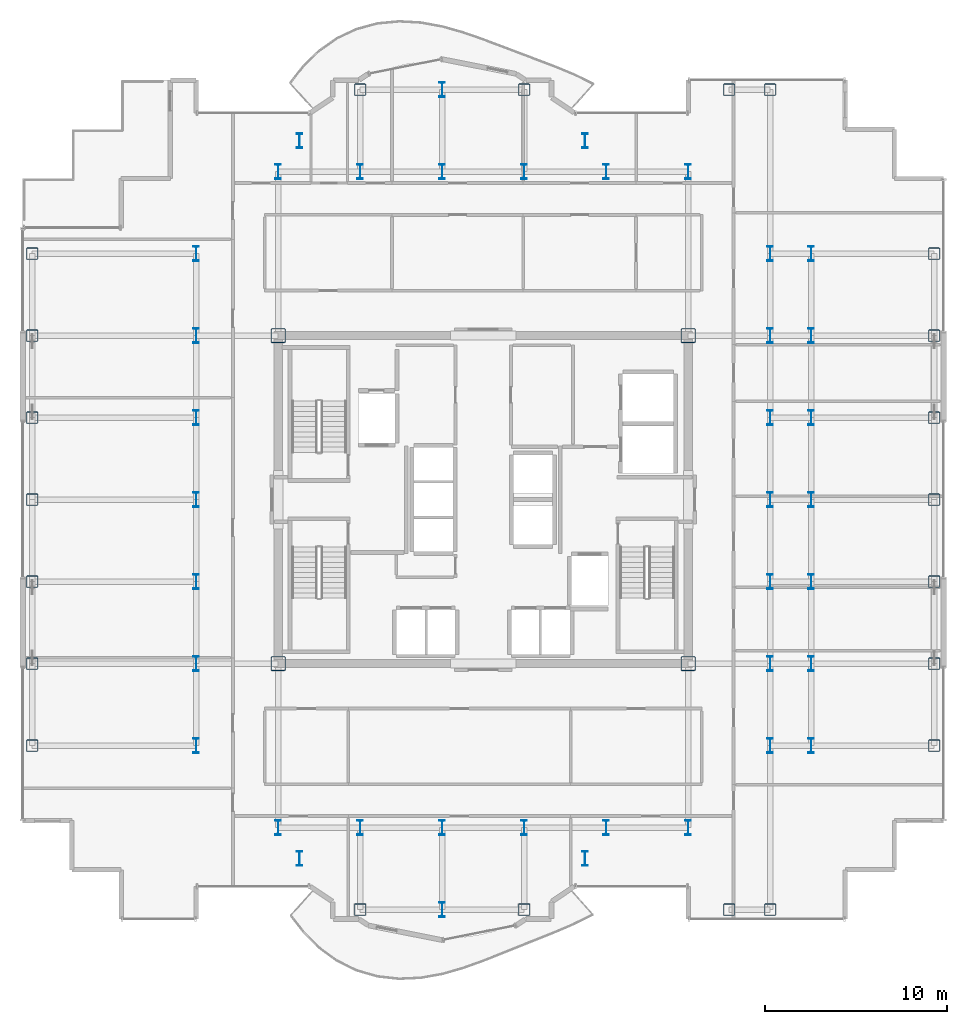
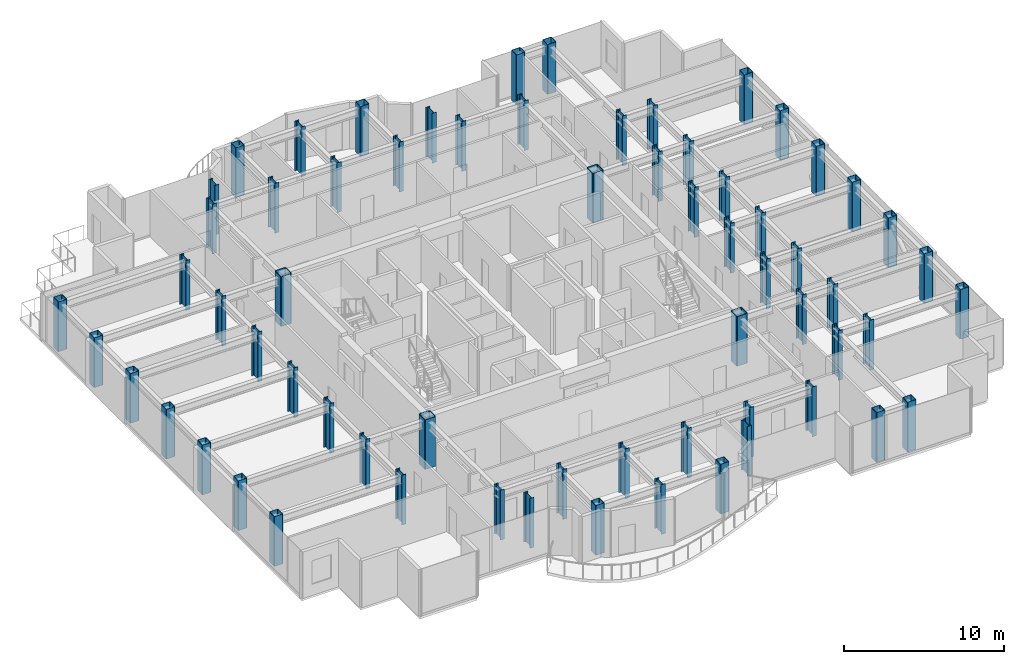
# One storey, part 1 of 22: 65 columns.
"""IFC4 building model written with IfcOpenShell, lengths in metres."""

from ifc_helpers import new_model, si_unit, direction, frame, origin, origin_2d, place, context, subcontext, project, spatial, hollow_rectangle, i_section, extrude, source, transform, mapped, material, material_profile, profile_set, type_object, element, save


model = new_model("IFC4")

# Units and contexts
model_context = context("Model", 3, precision=1e-05, world=origin(), true_north=direction((0.0, 1.0)))
body_context = subcontext(model_context, "Body", "Model", "MODEL_VIEW")
ifc_project = project(units=[si_unit("LENGTHUNIT", "METRE"), si_unit("AREAUNIT", "SQUARE_METRE"), si_unit("VOLUMEUNIT", "CUBIC_METRE"), si_unit("PLANEANGLEUNIT", "RADIAN"), si_unit("MASSUNIT", "GRAM", prefix="KILO")], contexts=[model_context])

# Site, building, storey
site_placement = place(None, origin())
site = spatial("IfcSite", under=ifc_project, at=site_placement, CompositionType="ELEMENT")
building_placement = place(site_placement, origin())
building = spatial("IfcBuilding", under=site, at=building_placement, Name="Nefas-Gora Pilgrimage Tower", CompositionType="ELEMENT")
storey_placement = place(building_placement, frame((0.0, 0.0, 240.800048828125)))
storey = spatial("IfcBuildingStorey", under=building, at=storey_placement, Name="L60", CompositionType="ELEMENT", Elevation=240.800048828125)

# Columns
ifc_material = material(Name="Steel S460", Category="steel")
ifc_material_profile_1 = material_profile(ifc_material, i_section(OverallWidth=0.302978515625, OverallDepth=0.81396484375, WebThickness=0.02099609375, FlangeThickness=0.0400390625, FilletRadius=0.030029296875, at=origin_2d()), Name="HEM 800")
ifc_profile_set_1 = profile_set([ifc_material_profile_1], Name="Steel S460")
column_type_1 = type_object("IfcColumnType", Name="COL-WEB-HEM800", PredefinedType="COLUMN", material=ifc_profile_set_1)
shared_shape_1 = source(origin(), body_context, "Body", "SweptSolid", [
    extrude(i_section(OverallWidth=0.302978515625, OverallDepth=0.81396484375, WebThickness=0.02099609375, FlangeThickness=0.0400390625, FilletRadius=0.030029296875, at=origin_2d()), origin(), (0.0, 0.0, 1.0), 3.800048828125),
])
for number, where, z_axis, x_axis, name in (
    (1, (-15.75, -13.5, 0.0), (0.0, 0.0, 1.0), (1.0, 0.0, 0.0), "L60 Tower Column CW-02.8"),
    (2, (-15.75, -9.0, 0.0), (0.0, 0.0, 1.0), (1.0, 0.0, 0.0), "L60 Tower Column CW-02.9"),
    (3, (-15.75, -4.5, 0.0), (0.0, 0.0, 1.0), (1.0, 0.0, 0.0), "L60 Tower Column CW-02.10"),
    (4, (-15.75, 0.0, 0.0), (0.0, 0.0, 1.0), (1.0, 0.0, 0.0), "L60 Tower Column CW-02.11"),
    (5, (-15.75, 4.5, 0.0), (0.0, 0.0, 1.0), (1.0, 0.0, 0.0), "L60 Tower Column CW-02.12"),
    (6, (-15.75, 9.0, 0.0), (0.0, 0.0, 1.0), (1.0, 0.0, 0.0), "L60 Tower Column CW-02.13"),
    (7, (-15.75, 13.5, 0.0), (0.0, 0.0, 1.0), (1.0, 0.0, 0.0), "L60 Tower Column CW-02.14"),
    (8, (-11.25, -18.0, 0.0), (0.0, 0.0, 1.0), (1.0, 0.0, 0.0), "L60 Tower Column CW-02.15"),
    (9, (-11.25, 18.0, 0.0), (0.0, 0.0, 1.0), (1.0, 0.0, 0.0), "L60 Tower Column CW-02.18"),
    (10, (-10.091064453125, -19.696044921875, 0.0), (0.0, 0.0, 1.0), (1.0, 0.0, 0.0), "L60 Tower Column CW-02.19"),
    (11, (-10.091064453125, 19.696044921875, 0.0), (0.0, 0.0, 1.0), (1.0, 0.0, 0.0), "L60 Tower Column CW-02.20"),
    (12, (-6.75, -18.0, 0.0), (0.0, 0.0, 1.0), (1.0, 0.0, 0.0), "L60 Tower Column CW-02.22"),
    (13, (-6.75, 18.0, 0.0), (0.0, 0.0, 1.0), (1.0, 0.0, 0.0), "L60 Tower Column CW-02.23"),
    (14, (-2.25, -22.5, 0.0), (0.0, 0.0, 1.0), (1.0, 0.0, 0.0), "L60 Tower Column CW-02.25"),
    (15, (-2.25, -18.0, 0.0), (0.0, 0.0, 1.0), (1.0, 0.0, 0.0), "L60 Tower Column CW-02.26"),
    (16, (-2.25, 18.0, 0.0), (0.0, 0.0, 1.0), (1.0, 0.0, 0.0), "L60 Tower Column CW-02.27"),
    (17, (-2.25, 22.5, 0.0), (0.0, 0.0, 1.0), (1.0, 0.0, 0.0), "L60 Tower Column CW-02.28"),
    (18, (2.25, -18.0, 0.0), (0.0, 0.0, 1.0), (1.0, 0.0, 0.0), "L60 Tower Column CW-02.30"),
    (19, (2.25, 18.0, 0.0), (0.0, 0.0, 1.0), (1.0, 0.0, 0.0), "L60 Tower Column CW-02.31"),
    (20, (5.591064453125, -19.696044921875, 0.0), (0.0, 0.0, 1.0), (1.0, 0.0, 0.0), "L60 Tower Column CW-02.33"),
    (21, (5.591064453125, 19.696044921875, 0.0), (0.0, 0.0, 1.0), (1.0, 0.0, 0.0), "L60 Tower Column CW-02.34"),
    (22, (6.75, -18.0, 0.0), (0.0, 0.0, 1.0), (1.0, 0.0, 0.0), "L60 Tower Column CW-02.35"),
    (23, (6.75, 18.0, 0.0), (0.0, 0.0, 1.0), (1.0, 0.0, 0.0), "L60 Tower Column CW-02.36"),
    (24, (11.25, -18.0, 0.0), (0.0, 0.0, 1.0), (1.0, 0.0, 0.0), "L60 Tower Column CW-02.37"),
    (25, (11.25, 18.0, 0.0), (0.0, 0.0, 1.0), (1.0, 0.0, 0.0), "L60 Tower Column CW-02.40"),
    (26, (15.75, -13.5, 0.0), (0.0, 0.0, 1.0), (1.0, 0.0, 0.0), "L60 Tower Column CW-02.44"),
    (27, (15.75, -9.0, 0.0), (0.0, 0.0, 1.0), (1.0, 0.0, 0.0), "L60 Tower Column CW-02.45"),
    (28, (15.75, -4.5, 0.0), (0.0, 0.0, 1.0), (1.0, 0.0, 0.0), "L60 Tower Column CW-02.46"),
    (29, (15.75, 0.0, 0.0), (0.0, 0.0, 1.0), (1.0, 0.0, 0.0), "L60 Tower Column CW-02.47"),
    (30, (15.75, 4.5, 0.0), (0.0, 0.0, 1.0), (1.0, 0.0, 0.0), "L60 Tower Column CW-02.48"),
    (31, (15.75, 9.0, 0.0), (0.0, 0.0, 1.0), (1.0, 0.0, 0.0), "L60 Tower Column CW-02.49"),
    (32, (15.75, 13.5, 0.0), (0.0, 0.0, 1.0), (1.0, 0.0, 0.0), "L60 Tower Column CW-02.50"),
    (33, (18.0, -13.5, 0.0), (0.0, 0.0, 1.0), (1.0, 0.0, 0.0), "L60 Tower Column CW-02.52"),
    (34, (18.0, -9.0, 0.0), (0.0, 0.0, 1.0), (1.0, 0.0, 0.0), "L60 Tower Column CW-02.53"),
    (35, (18.0, -4.5, 0.0), (0.0, 0.0, 1.0), (1.0, 0.0, 0.0), "L60 Tower Column CW-02.54"),
    (36, (18.0, 0.0, 0.0), (0.0, 0.0, 1.0), (1.0, 0.0, 0.0), "L60 Tower Column CW-02.55"),
    (37, (18.0, 4.5, 0.0), (0.0, 0.0, 1.0), (1.0, 0.0, 0.0), "L60 Tower Column CW-02.56"),
    (38, (18.0, 9.0, 0.0), (0.0, 0.0, 1.0), (1.0, 0.0, 0.0), "L60 Tower Column CW-02.57"),
    (39, (18.0, 13.5, 0.0), (0.0, 0.0, 1.0), (1.0, 0.0, 0.0), "L60 Tower Column CW-02.58"),
):
    element("IfcColumn", number, at=place(storey_placement, frame(where, z_axis=z_axis, x_axis=x_axis)), inside=storey, type_object=column_type_1, Name=name, PredefinedType="COLUMN", context=body_context, shape_type="MappedRepresentation", body=[
        mapped(shared_shape_1, transform((0.0, 0.0, 0.0), x_axis=(1.0, 0.0, 0.0), y_axis=(0.0, 1.0, 0.0), z_axis=(0.0, 0.0, 1.0), scale=1.0)),
    ])
ifc_material_profile_2 = material_profile(ifc_material, hollow_rectangle(XDim=0.800048828125, YDim=0.800048828125, WallThickness=0.0400390625, InnerFilletRadius=0.0400390625, OuterFilletRadius=0.080078125, at=origin_2d()), Name="BOX 800x800x40")
ifc_profile_set_2 = profile_set([ifc_material_profile_2], Name="Steel S460")
column_type_2 = type_object("IfcColumnType", Name="COL-CORE-800", PredefinedType="COLUMN", material=ifc_profile_set_2)
shared_shape_2 = source(origin(), body_context, "Body", "SweptSolid", [
    extrude(hollow_rectangle(XDim=0.800048828125, YDim=0.800048828125, WallThickness=0.0400390625, InnerFilletRadius=0.0400390625, OuterFilletRadius=0.080078125, at=origin_2d()), origin(), (0.0, 0.0, 1.0), 3.800048828125),
])
for number, where, z_axis, x_axis, name in (
    (40, (-11.25, -9.0, 0.0), (0.0, 0.0, 1.0), (1.0, 0.0, 0.0), "L60 Tower Column CC-Z2.16"),
    (41, (-11.25, 9.0, 0.0), (0.0, 0.0, 1.0), (1.0, 0.0, 0.0), "L60 Tower Column CC-Z2.17"),
    (42, (11.25, -9.0, 0.0), (0.0, 0.0, 1.0), (1.0, 0.0, 0.0), "L60 Tower Column CC-Z2.38"),
    (43, (11.25, 9.0, 0.0), (0.0, 0.0, 1.0), (1.0, 0.0, 0.0), "L60 Tower Column CC-Z2.39"),
):
    element("IfcColumn", number, at=place(storey_placement, frame(where, z_axis=z_axis, x_axis=x_axis)), inside=storey, type_object=column_type_2, Name=name, PredefinedType="COLUMN", context=body_context, shape_type="MappedRepresentation", body=[
        mapped(shared_shape_2, transform((0.0, 0.0, 0.0), x_axis=(1.0, 0.0, 0.0), y_axis=(0.0, 1.0, 0.0), z_axis=(0.0, 0.0, 1.0), scale=1.0)),
    ])
ifc_material_profile_3 = material_profile(ifc_material, hollow_rectangle(XDim=0.64990234375, YDim=0.64990234375, WallThickness=0.031982421875, InnerFilletRadius=0.031982421875, OuterFilletRadius=0.06396484375, at=origin_2d()), Name="BOX 650x650x32")
ifc_profile_set_3 = profile_set([ifc_material_profile_3], Name="Steel S460")
column_type_3 = type_object("IfcColumnType", Name="COL-TUBE-650", PredefinedType="COLUMN", material=ifc_profile_set_3)
shared_shape_3 = source(origin(), body_context, "Body", "SweptSolid", [
    extrude(hollow_rectangle(XDim=0.64990234375, YDim=0.64990234375, WallThickness=0.031982421875, InnerFilletRadius=0.031982421875, OuterFilletRadius=0.06396484375, at=origin_2d()), origin(), (0.0, 0.0, 1.0), 3.800048828125),
])
for number, where, z_axis, x_axis, name in (
    (44, (-24.75, -13.5, 0.0), (0.0, 0.0, 1.0), (1.0, 0.0, 0.0), "L60 Tower Column C-Z3.1"),
    (45, (-24.75, -9.0, 0.0), (0.0, 0.0, 1.0), (1.0, 0.0, 0.0), "L60 Tower Column C-Z3.2"),
    (46, (-24.75, -4.5, 0.0), (0.0, 0.0, 1.0), (1.0, 0.0, 0.0), "L60 Tower Column C-Z3.3"),
    (47, (-24.75, 0.0, 0.0), (0.0, 0.0, 1.0), (1.0, 0.0, 0.0), "L60 Tower Column C-Z3.4"),
    (48, (-24.75, 4.5, 0.0), (0.0, 0.0, 1.0), (1.0, 0.0, 0.0), "L60 Tower Column C-Z3.5"),
    (49, (-24.75, 9.0, 0.0), (0.0, 0.0, 1.0), (1.0, 0.0, 0.0), "L60 Tower Column C-Z3.6"),
    (50, (-24.75, 13.5, 0.0), (0.0, 0.0, 1.0), (1.0, 0.0, 0.0), "L60 Tower Column C-Z3.7"),
    (51, (-6.75, -22.5, 0.0), (0.0, 0.0, 1.0), (1.0, 0.0, 0.0), "L60 Tower Column C-Z3.21"),
    (52, (-6.75, 22.5, 0.0), (0.0, 0.0, 1.0), (1.0, 0.0, 0.0), "L60 Tower Column C-Z3.24"),
    (53, (2.25, -22.5, 0.0), (0.0, 0.0, 1.0), (1.0, 0.0, 0.0), "L60 Tower Column C-Z3.29"),
    (54, (2.25, 22.5, 0.0), (0.0, 0.0, 1.0), (1.0, 0.0, 0.0), "L60 Tower Column C-Z3.32"),
    (55, (13.5, -22.5, 0.0), (0.0, 0.0, 1.0), (1.0, 0.0, 0.0), "L60 Tower Column C-Z3.41"),
    (56, (13.5, 22.5, 0.0), (0.0, 0.0, 1.0), (1.0, 0.0, 0.0), "L60 Tower Column C-Z3.42"),
    (57, (15.75, -22.5, 0.0), (0.0, 0.0, 1.0), (1.0, 0.0, 0.0), "L60 Tower Column C-Z3.43"),
    (58, (15.75, 22.5, 0.0), (0.0, 0.0, 1.0), (1.0, 0.0, 0.0), "L60 Tower Column C-Z3.51"),
    (59, (24.75, -13.5, 0.0), (0.0, 0.0, 1.0), (1.0, 0.0, 0.0), "L60 Tower Column C-Z3.59"),
    (60, (24.75, -9.0, 0.0), (0.0, 0.0, 1.0), (1.0, 0.0, 0.0), "L60 Tower Column C-Z3.60"),
    (61, (24.75, -4.5, 0.0), (0.0, 0.0, 1.0), (1.0, 0.0, 0.0), "L60 Tower Column C-Z3.61"),
    (62, (24.75, 0.0, 0.0), (0.0, 0.0, 1.0), (1.0, 0.0, 0.0), "L60 Tower Column C-Z3.62"),
    (63, (24.75, 4.5, 0.0), (0.0, 0.0, 1.0), (1.0, 0.0, 0.0), "L60 Tower Column C-Z3.63"),
    (64, (24.75, 9.0, 0.0), (0.0, 0.0, 1.0), (1.0, 0.0, 0.0), "L60 Tower Column C-Z3.64"),
    (65, (24.75, 13.5, 0.0), (0.0, 0.0, 1.0), (1.0, 0.0, 0.0), "L60 Tower Column C-Z3.65"),
):
    element("IfcColumn", number, at=place(storey_placement, frame(where, z_axis=z_axis, x_axis=x_axis)), inside=storey, type_object=column_type_3, Name=name, PredefinedType="COLUMN", context=body_context, shape_type="MappedRepresentation", body=[
        mapped(shared_shape_3, transform((0.0, 0.0, 0.0), x_axis=(1.0, 0.0, 0.0), y_axis=(0.0, 1.0, 0.0), z_axis=(0.0, 0.0, 1.0), scale=1.0)),
    ])

save(model, "model.ifc")
